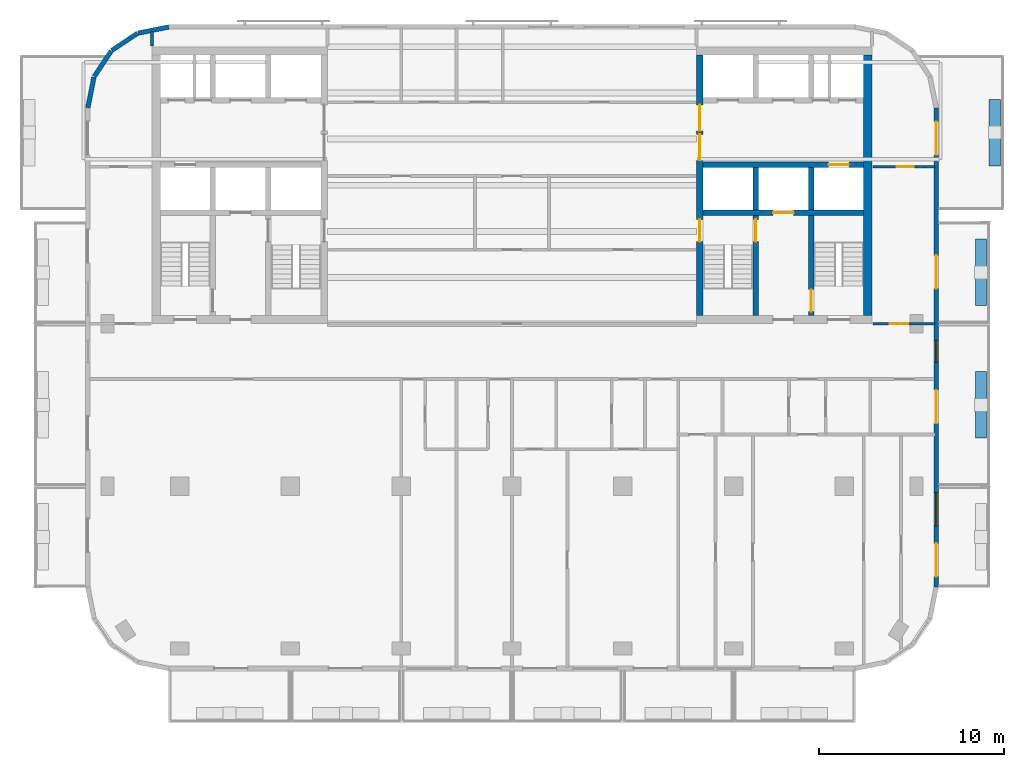
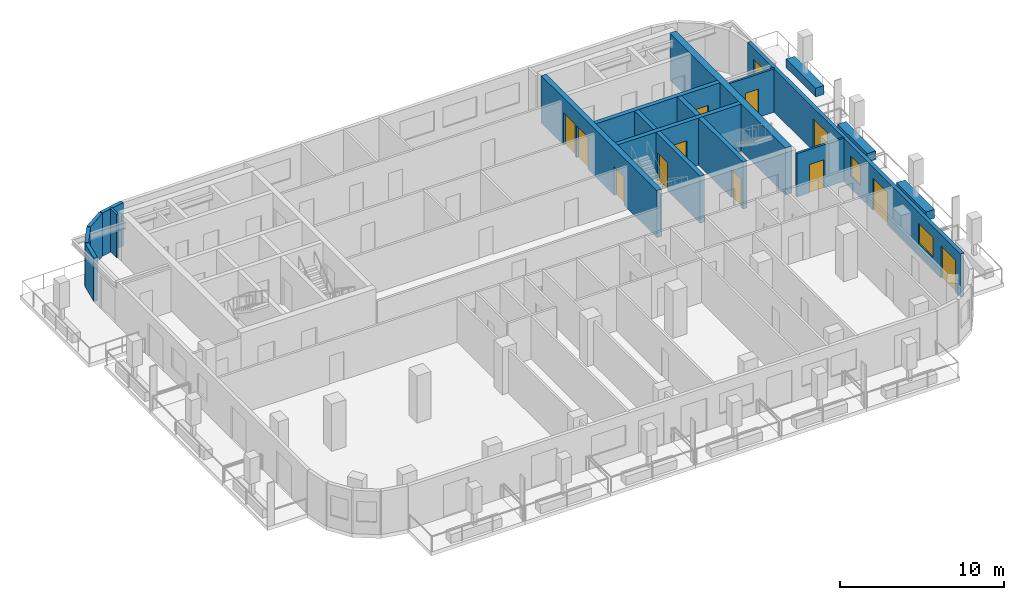
# One storey, part 5 of 10: 19 walls, 13 doors, 2 windows, 15 openings.
"""IFC4 building model written with IfcOpenShell, lengths in metres."""

from ifc_helpers import new_model, si_unit, direction, frame, frame_2d, origin, place, context, subcontext, project, spatial, rectangle, extrude, material, layer, layer_set, type_object, element, fill, save


model = new_model("IFC4")

# Units and contexts
model_context = context("Model", 3, precision=1e-05, world=origin(), true_north=direction((0.0, 1.0)))
body_context = subcontext(model_context, "Body", "Model", "MODEL_VIEW")
ifc_project = project(units=[si_unit("LENGTHUNIT", "METRE"), si_unit("AREAUNIT", "SQUARE_METRE"), si_unit("VOLUMEUNIT", "CUBIC_METRE"), si_unit("PLANEANGLEUNIT", "RADIAN"), si_unit("MASSUNIT", "GRAM", prefix="KILO")], contexts=[model_context])

# Site, building, storey
site_placement = place(None, origin())
site = spatial("IfcSite", under=ifc_project, at=site_placement, CompositionType="ELEMENT")
building_placement = place(site_placement, origin())
building = spatial("IfcBuilding", under=site, at=building_placement, Name="Torana Hotel and Residences", CompositionType="ELEMENT")
storey_placement = place(building_placement, frame((0.0, 0.0, 301.60009765625)))
storey = spatial("IfcBuildingStorey", under=building, at=storey_placement, Name="L80", CompositionType="ELEMENT", Elevation=301.60009765625)

# Wall, opening, door
ifc_material_1 = material(Name="Concrete C60/75", Category="concrete")
ifc_layer_1 = layer(ifc_material_1, 0.300048828125)
ifc_layer_set_1 = layer_set([ifc_layer_1], Name="CORE WALL 300 C60/75")
wall_type_1 = type_object("IfcWallType", Name="CORE WALL 300 C60/75", PredefinedType="SHEAR", material=ifc_layer_set_1)
wall_1_placement = place(storey_placement, frame((10.35009765625, -6.39990234375, 0.0), z_axis=(0.0, 0.0, 1.0), x_axis=(1.0, 0.0, 0.0)))
wall_1 = element("IfcWall", 1, at=wall_1_placement, inside=storey, type_object=wall_type_1, Name="Core wall E row-S", PredefinedType="SHEAR", context=body_context, shape_type="SweptSolid", body=[
    extrude(rectangle(XDim=8.699951171875, YDim=0.300048828125, at=frame_2d((4.35009765625, 0.0))), origin(), (0.0, 0.0, 1.0), 3.5),
])
opening_1_placement = place(wall_1_placement, frame((6.800048828125, 0.0, 0.0)))
opening_1 = element("IfcOpeningElement", 2, at=opening_1_placement, cuts=wall_1, Name="Opening LD", PredefinedType="OPENING", context=body_context, shape_type="SweptSolid", body=[
    extrude(rectangle(XDim=1.10009765625, YDim=2.10009765625, at=frame_2d((0.550048828125, 1.050048828125))), frame((0.0, 0.159912109375, 0.0), z_axis=(0.0, -1.0, 0.0), x_axis=(1.0, 0.0, 0.0)), (0.0, 0.0, 1.0), 0.320068359375),
])
ifc_material_2 = material(Name="Stainless steel 316", Category="steel")
door_type_1 = type_object("IfcDoorType", Name="LIFT LANDING DOOR LD 1100x2100", OperationType="DOUBLE_DOOR_SLIDING", PredefinedType="USERDEFINED", material=ifc_material_2)
door_1_placement = place(opening_1_placement, origin())
door_1 = element("IfcDoor", 3, at=door_1_placement, inside=storey, type_object=door_type_1, Name="Lift landing door SV2 L80", ObjectType="LIFT LANDING DOOR", OperationType="DOUBLE_DOOR_SLIDING", OverallHeight=2.10009765625, OverallWidth=1.10009765625, PredefinedType="USERDEFINED", context=body_context, shape_type="SweptSolid", body=[
    extrude(rectangle(XDim=1.10009765625, YDim=2.10009765625, at=frame_2d((0.550048828125, 1.050048828125))), frame((0.0, 0.02490234375, 0.0), z_axis=(0.0, -1.0, 0.0), x_axis=(1.0, 0.0, 0.0)), (0.0, 0.0, 1.0), 0.050048828125),
])
fill(opening_1, door_1)

wall_2_placement = place(storey_placement, frame((10.35009765625, -9.0, 0.0), z_axis=(0.0, 0.0, 1.0), x_axis=(1.0, 0.0, 0.0)))
wall_2 = element("IfcWall", 4, at=wall_2_placement, inside=storey, type_object=wall_type_1, Name="Core wall E band", PredefinedType="SHEAR", context=body_context, shape_type="SweptSolid", body=[
    extrude(rectangle(XDim=8.699951171875, YDim=0.300048828125, at=frame_2d((4.35009765625, 0.0))), origin(), (0.0, 0.0, 1.0), 3.5),
])
opening_2_placement = place(wall_2_placement, frame((3.800048828125, 0.0, 0.0)))
opening_2 = element("IfcOpeningElement", 5, at=opening_2_placement, cuts=wall_2, Name="Opening LD", PredefinedType="OPENING", context=body_context, shape_type="SweptSolid", body=[
    extrude(rectangle(XDim=1.10009765625, YDim=2.10009765625, at=frame_2d((0.550048828125, 1.050048828125))), frame((0.0, 0.159912109375, 0.0), z_axis=(0.0, -1.0, 0.0), x_axis=(1.0, 0.0, 0.0)), (0.0, 0.0, 1.0), 0.320068359375),
])
door_2_placement = place(opening_2_placement, origin())
door_2 = element("IfcDoor", 6, at=door_2_placement, inside=storey, type_object=door_type_1, Name="Lift landing door FF2 L80", ObjectType="LIFT LANDING DOOR", OperationType="DOUBLE_DOOR_SLIDING", OverallHeight=2.10009765625, OverallWidth=1.10009765625, PredefinedType="USERDEFINED", context=body_context, shape_type="SweptSolid", body=[
    extrude(rectangle(XDim=1.10009765625, YDim=2.10009765625, at=frame_2d((0.550048828125, 1.050048828125))), frame((0.0, 0.02490234375, 0.0), z_axis=(0.0, -1.0, 0.0), x_axis=(1.0, 0.0, 0.0)), (0.0, 0.0, 1.0), 0.050048828125),
])
fill(opening_2, door_2)

# Wall
wall_3_placement = place(storey_placement, frame((13.199951171875, -8.85009765625, 0.0), z_axis=(0.0, 0.0, 1.0), x_axis=(0.0, 1.0, 0.0)))
element("IfcWall", 7, at=wall_3_placement, inside=storey, type_object=wall_type_1, Name="Core wall E x3.05-S", PredefinedType="SHEAR", context=body_context, shape_type="SweptSolid", body=[
    extrude(rectangle(XDim=2.300048828125, YDim=0.300048828125, at=frame_2d((1.14990234375, 0.0))), origin(), (0.0, 0.0, 1.0), 3.5),
])

# Wall, opening, door
wall_4_placement = place(storey_placement, frame((13.199951171875, -14.550048828125, 0.0), z_axis=(0.0, 0.0, 1.0), x_axis=(0.0, 1.0, 0.0)))
wall_4 = element("IfcWall", 8, at=wall_4_placement, inside=storey, type_object=wall_type_1, Name="Core wall E x3.05-band", PredefinedType="SHEAR", context=body_context, shape_type="SweptSolid", body=[
    extrude(rectangle(XDim=5.400146484375, YDim=0.300048828125, at=frame_2d((2.7001953125, 0.0))), origin(), (0.0, 0.0, 1.0), 3.5),
])
opening_3_placement = place(wall_4_placement, frame((4.0, 0.0, 0.0)))
opening_3 = element("IfcOpeningElement", 9, at=opening_3_placement, cuts=wall_4, Name="Opening L80-17", PredefinedType="OPENING", context=body_context, shape_type="SweptSolid", body=[
    extrude(rectangle(XDim=1.199951171875, YDim=2.10009765625, at=frame_2d((0.60009765625, 1.050048828125))), frame((0.0, 0.159912109375, 0.0), z_axis=(0.0, -1.0, 0.0), x_axis=(1.0, 0.0, 0.0)), (0.0, 0.0, 1.0), 0.320068359375),
])
ifc_material_3 = material(Name="Steel S235", Category="steel")
door_type_2 = type_object("IfcDoorType", Name="STAIR FIRE DOOR D3 1200x2100", OperationType="SINGLE_SWING_LEFT", PredefinedType="DOOR", material=ifc_material_3)
door_3_placement = place(opening_3_placement, origin())
door_3 = element("IfcDoor", 10, at=door_3_placement, inside=storey, type_object=door_type_2, Name="Stair-A-lobby door L80", OperationType="SINGLE_SWING_LEFT", OverallHeight=2.10009765625, OverallWidth=1.199951171875, PredefinedType="DOOR", context=body_context, shape_type="SweptSolid", body=[
    extrude(rectangle(XDim=1.199951171875, YDim=2.10009765625, at=frame_2d((0.60009765625, 1.050048828125))), frame((0.0, 0.02490234375, 0.0), z_axis=(0.0, -1.0, 0.0), x_axis=(1.0, 0.0, 0.0)), (0.0, 0.0, 1.0), 0.050048828125),
])
fill(opening_3, door_3)

# Wall
wall_5_placement = place(storey_placement, frame((16.199951171875, -8.85009765625, 0.0), z_axis=(0.0, 0.0, 1.0), x_axis=(0.0, 1.0, 0.0)))
element("IfcWall", 11, at=wall_5_placement, inside=storey, type_object=wall_type_1, Name="Core wall E x6.05-S", PredefinedType="SHEAR", context=body_context, shape_type="SweptSolid", body=[
    extrude(rectangle(XDim=2.300048828125, YDim=0.300048828125, at=frame_2d((1.14990234375, 0.0))), origin(), (0.0, 0.0, 1.0), 3.5),
])

# Wall, opening, door
wall_6_placement = place(storey_placement, frame((16.199951171875, -14.550048828125, 0.0), z_axis=(0.0, 0.0, 1.0), x_axis=(0.0, 1.0, 0.0)))
wall_6 = element("IfcWall", 12, at=wall_6_placement, inside=storey, type_object=wall_type_1, Name="Core wall E x6.05-band", PredefinedType="SHEAR", context=body_context, shape_type="SweptSolid", body=[
    extrude(rectangle(XDim=5.400146484375, YDim=0.300048828125, at=frame_2d((2.7001953125, 0.0))), origin(), (0.0, 0.0, 1.0), 3.5),
])
opening_4_placement = place(wall_6_placement, frame((0.199951171875, 0.0, 0.0)))
opening_4 = element("IfcOpeningElement", 13, at=opening_4_placement, cuts=wall_6, Name="Opening L80-18", PredefinedType="OPENING", context=body_context, shape_type="SweptSolid", body=[
    extrude(rectangle(XDim=1.199951171875, YDim=2.10009765625, at=frame_2d((0.60009765625, 1.050048828125))), frame((0.0, 0.159912109375, 0.0), z_axis=(0.0, -1.0, 0.0), x_axis=(1.0, 0.0, 0.0)), (0.0, 0.0, 1.0), 0.320068359375),
])
door_4_placement = place(opening_4_placement, frame((0.60009765625, 0.0, 0.0), z_axis=(0.0, 0.0, 1.0), x_axis=(-1.0, 0.0, 0.0)))
door_4 = element("IfcDoor", 14, at=door_4_placement, inside=storey, type_object=door_type_2, Name="Stair-B-lobby door L80", OperationType="SINGLE_SWING_LEFT", OverallHeight=2.10009765625, OverallWidth=1.199951171875, PredefinedType="DOOR", context=body_context, shape_type="SweptSolid", body=[
    extrude(rectangle(XDim=1.199951171875, YDim=2.10009765625, at=frame_2d((0.0, 1.050048828125))), frame((0.0, -0.02490234375, 0.0), z_axis=(0.0, 1.0, 0.0), x_axis=(-1.0, 0.0, 0.0)), (0.0, 0.0, 1.0), 0.050048828125),
])
fill(opening_4, door_4)

# Wall, openings, doors
ifc_material_4 = material(Name="Concrete C60/75", Category="concrete")
ifc_layer_2 = layer(ifc_material_4, 0.35009765625)
ifc_layer_set_2 = layer_set([ifc_layer_2], Name="CORE WALL 350 C60/75")
wall_type_2 = type_object("IfcWallType", Name="CORE WALL 350 C60/75", PredefinedType="SHEAR", material=ifc_layer_set_2)
wall_7_placement = place(storey_placement, frame((10.175048828125, -14.550048828125, 0.0), z_axis=(0.0, 0.0, 1.0), x_axis=(0.0, 1.0, 0.0)))
wall_7 = element("IfcWall", 15, at=wall_7_placement, inside=storey, type_object=wall_type_2, Name="Core wall E arch", PredefinedType="SHEAR", context=body_context, shape_type="SweptSolid", body=[
    extrude(rectangle(XDim=14.10009765625, YDim=0.35009765625, at=frame_2d((7.050048828125, 0.0))), origin(), (0.0, 0.0, 1.0), 3.5),
])
opening_5_placement = place(wall_7_placement, frame((8.39990234375, 0.0, 0.0)))
opening_5 = element("IfcOpeningElement", 16, at=opening_5_placement, cuts=wall_7, Name="Opening L80-10", PredefinedType="OPENING", context=body_context, shape_type="SweptSolid", body=[
    extrude(rectangle(XDim=1.39990234375, YDim=2.39990234375, at=frame_2d((0.699951171875, 1.199951171875))), frame((0.0, 0.18505859375, 0.0), z_axis=(0.0, -1.0, 0.0), x_axis=(1.0, 0.0, 0.0)), (0.0, 0.0, 1.0), 0.3701171875),
])
opening_6_placement = place(wall_7_placement, frame((10.0, 0.0, 0.0)))
opening_6 = element("IfcOpeningElement", 17, at=opening_6_placement, cuts=wall_7, Name="Opening L80-11", PredefinedType="OPENING", context=body_context, shape_type="SweptSolid", body=[
    extrude(rectangle(XDim=1.39990234375, YDim=2.39990234375, at=frame_2d((0.699951171875, 1.199951171875))), frame((0.0, 0.18505859375, 0.0), z_axis=(0.0, -1.0, 0.0), x_axis=(1.0, 0.0, 0.0)), (0.0, 0.0, 1.0), 0.3701171875),
])
opening_7_placement = place(wall_7_placement, frame((4.0, 0.0, 0.0)))
opening_7 = element("IfcOpeningElement", 18, at=opening_7_placement, cuts=wall_7, Name="Opening L80-12", PredefinedType="OPENING", context=body_context, shape_type="SweptSolid", body=[
    extrude(rectangle(XDim=1.199951171875, YDim=2.10009765625, at=frame_2d((0.60009765625, 1.050048828125))), frame((0.0, 0.18505859375, 0.0), z_axis=(0.0, -1.0, 0.0), x_axis=(1.0, 0.0, 0.0)), (0.0, 0.0, 1.0), 0.3701171875),
])
ifc_material_5 = material(Name="Steel S235", Category="steel")
door_type_3 = type_object("IfcDoorType", Name="LOBBY FIRE DOOR D4 1400x2400", OperationType="DOUBLE_DOOR_SINGLE_SWING", PredefinedType="DOOR", material=ifc_material_5)
door_5_placement = place(opening_5_placement, origin())
door_5 = element("IfcDoor", 19, at=door_5_placement, inside=storey, type_object=door_type_3, Name="Lobby-1 door L80", OperationType="DOUBLE_DOOR_SINGLE_SWING", OverallHeight=2.39990234375, OverallWidth=1.39990234375, PredefinedType="DOOR", context=body_context, shape_type="SweptSolid", body=[
    extrude(rectangle(XDim=1.39990234375, YDim=2.39990234375, at=frame_2d((0.699951171875, 1.199951171875))), frame((0.0, 0.02490234375, 0.0), z_axis=(0.0, -1.0, 0.0), x_axis=(1.0, 0.0, 0.0)), (0.0, 0.0, 1.0), 0.050048828125),
])
fill(opening_5, door_5)
door_6_placement = place(opening_6_placement, origin())
door_6 = element("IfcDoor", 20, at=door_6_placement, inside=storey, type_object=door_type_3, Name="Lobby-2 door L80", OperationType="DOUBLE_DOOR_SINGLE_SWING", OverallHeight=2.39990234375, OverallWidth=1.39990234375, PredefinedType="DOOR", context=body_context, shape_type="SweptSolid", body=[
    extrude(rectangle(XDim=1.39990234375, YDim=2.39990234375, at=frame_2d((0.699951171875, 1.199951171875))), frame((0.0, 0.02490234375, 0.0), z_axis=(0.0, -1.0, 0.0), x_axis=(1.0, 0.0, 0.0)), (0.0, 0.0, 1.0), 0.050048828125),
])
fill(opening_6, door_6)
door_7_placement = place(opening_7_placement, frame((0.60009765625, 0.0, 0.0), z_axis=(0.0, 0.0, 1.0), x_axis=(-1.0, 0.0, 0.0)))
door_7 = element("IfcDoor", 21, at=door_7_placement, inside=storey, type_object=door_type_2, Name="Stair-A door L80", OperationType="SINGLE_SWING_RIGHT", OverallHeight=2.10009765625, OverallWidth=1.199951171875, PredefinedType="DOOR", context=body_context, shape_type="SweptSolid", body=[
    extrude(rectangle(XDim=1.199951171875, YDim=2.10009765625, at=frame_2d((0.0, 1.050048828125))), frame((0.0, -0.02490234375, 0.0), z_axis=(0.0, 1.0, 0.0), x_axis=(-1.0, 0.0, 0.0)), (0.0, 0.0, 1.0), 0.050048828125),
])
fill(opening_7, door_7)

# Walls
ifc_material_6 = material(Name="Concrete C60/75", Category="concrete")
ifc_layer_3 = layer(ifc_material_6, 0.449951171875)
ifc_layer_set_3 = layer_set([ifc_layer_3], Name="CORE WALL 450 C60/75")
wall_type_3 = type_object("IfcWallType", Name="CORE WALL 450 C60/75", PredefinedType="SHEAR", material=ifc_layer_set_3)
wall_8_placement = place(storey_placement, frame((19.27490234375, -14.550048828125, 0.0), z_axis=(0.0, 0.0, 1.0), x_axis=(0.0, 1.0, 0.0)))
element("IfcWall", 22, at=wall_8_placement, inside=storey, type_object=wall_type_3, Name="Core wall E outer", PredefinedType="SHEAR", context=body_context, shape_type="SweptSolid", body=[
    extrude(rectangle(XDim=14.10009765625, YDim=0.449951171875, at=frame_2d((7.050048828125, 0.0))), origin(), (0.0, 0.0, 1.0), 3.5),
])
ifc_material_7 = material(Name="Black aluminium composite panel", Category="aluminium")
ifc_layer_4 = layer(ifc_material_7, 0.00390625, Name="Cladding", Category="cladding")
ifc_material_8 = material(Name="Ventilated air cavity")
ifc_layer_5 = layer(ifc_material_8, 0.0400390625, Name="Ventilated cavity", Category="cavity")
ifc_material_9 = material(Name="Mineral wool insulation")
ifc_layer_6 = layer(ifc_material_9, 0.090087890625, Name="Insulation", Category="insulation")
ifc_material_10 = material(Name="Steel S280GD", Category="steel")
ifc_layer_7 = layer(ifc_material_10, 0.092041015625, Name="Steel stud frame", Category="structure")
ifc_material_11 = material(Name="Fire rated plasterboard")
ifc_layer_8 = layer(ifc_material_11, 0.011962890625, Name="Inner board", Category="finish")
ifc_layer_9 = layer(ifc_material_11, 0.011962890625, Name="Second board", Category="finish")
ifc_layer_set_4 = layer_set([ifc_layer_4, ifc_layer_5, ifc_layer_6, ifc_layer_7, ifc_layer_8, ifc_layer_9], Name="EW1 EXTERNAL WALL BLACK METAL CLAD 250")
wall_type_4 = type_object("IfcWallType", Name="EW1 EXTERNAL WALL BLACK METAL CLAD 250", PredefinedType="SOLIDWALL", material=ifc_layer_set_4)
wall_9_placement = place(storey_placement, frame((-18.599853515625, 1.072509765625, 0.0), z_axis=(0.0, 0.0, 1.0), x_axis=(-0.980797896849, -0.195026884138, 0.0)))
element("IfcWall", 23, at=wall_9_placement, inside=storey, type_object=wall_type_4, Name="External wall L80 e0.5", PredefinedType="SOLIDWALL", context=body_context, shape_type="SweptSolid", body=[
    extrude(rectangle(XDim=1.68115234375, YDim=0.25, at=frame_2d((0.840576171875, 0.0))), origin(), (0.0, 0.0, 1.0), 3.219970703125),
])
for number, where, z_axis, x_axis, name in (
    (24, (-20.2939453125, 0.725830078125, 0.0), (0.0, 0.0, 1.0), (-0.831482937015, -0.55555029066, 0.0), "External wall L80 e0.6"),
    (25, (-21.705810546875, -0.228759765625, 0.0), (0.0, 0.0, 1.0), (-0.55555029066, -0.831482937015, 0.0), "External wall L80 e0.7"),
):
    element("IfcWall", number, at=place(storey_placement, frame(where, z_axis=z_axis, x_axis=x_axis)), inside=storey, type_object=wall_type_4, Name=name, PredefinedType="SOLIDWALL", context=body_context, shape_type="SweptSolid", body=[
        extrude(rectangle(XDim=1.65625, YDim=0.25, at=frame_2d((0.828125, 0.0))), origin(), (0.0, 0.0, 1.0), 3.219970703125),
    ])
wall_10_placement = place(storey_placement, frame((-22.64453125, -1.651123046875, 0.0), z_axis=(0.0, 0.0, 1.0), x_axis=(-0.19513878023, -0.980775640221, 0.0)))
element("IfcWall", 26, at=wall_10_placement, inside=storey, type_object=wall_type_4, Name="External wall L80 e0.8", PredefinedType="SOLIDWALL", context=body_context, shape_type="SweptSolid", body=[
    extrude(rectangle(XDim=1.681396484375, YDim=0.25, at=frame_2d((0.8408203125, 0.0))), origin(), (0.0, 0.0, 1.0), 3.219970703125),
])

# Wall, openings, doors, windows
wall_11_placement = place(storey_placement, frame((22.97509765625, -29.275390625, 0.0), z_axis=(0.0, 0.0, 1.0), x_axis=(0.0, 1.0, 0.0)))
wall_11 = element("IfcWall", 27, at=wall_11_placement, inside=storey, type_object=wall_type_4, Name="External wall L80 e0.19", PredefinedType="SOLIDWALL", context=body_context, shape_type="SweptSolid", body=[
    extrude(rectangle(XDim=25.95068359375, YDim=0.25, at=frame_2d((12.975341796875, 0.0))), origin(), (0.0, 0.0, 1.0), 3.219970703125),
])
opening_8_placement = place(wall_11_placement, frame((0.575439453125, 0.0, 0.0)))
opening_8 = element("IfcOpeningElement", 28, at=opening_8_placement, cuts=wall_11, Name="Opening L80-E07", PredefinedType="OPENING", context=body_context, shape_type="SweptSolid", body=[
    extrude(rectangle(XDim=1.800048828125, YDim=2.39990234375, at=frame_2d((0.89990234375, 1.199951171875))), frame((0.0, 0.135009765625, 0.0), z_axis=(0.0, -1.0, 0.0), x_axis=(1.0, 0.0, 0.0)), (0.0, 0.0, 1.0), 0.27001953125),
])
opening_9_placement = place(wall_11_placement, frame((3.325439453125, 0.0, 0.89990234375)))
opening_9 = element("IfcOpeningElement", 29, at=opening_9_placement, cuts=wall_11, Name="Opening W4", PredefinedType="OPENING", context=body_context, shape_type="SweptSolid", body=[
    extrude(rectangle(XDim=1.800048828125, YDim=1.5, at=frame_2d((0.89990234375, 0.75))), frame((0.0, 0.135009765625, 0.0), z_axis=(0.0, -1.0, 0.0), x_axis=(1.0, 0.0, 0.0)), (0.0, 0.0, 1.0), 0.27001953125),
])
opening_10_placement = place(wall_11_placement, frame((8.87548828125, 0.0, 0.0)))
opening_10 = element("IfcOpeningElement", 30, at=opening_10_placement, cuts=wall_11, Name="Opening L80-E08", PredefinedType="OPENING", context=body_context, shape_type="SweptSolid", body=[
    extrude(rectangle(XDim=1.800048828125, YDim=2.39990234375, at=frame_2d((0.89990234375, 1.199951171875))), frame((0.0, 0.135009765625, 0.0), z_axis=(0.0, -1.0, 0.0), x_axis=(1.0, 0.0, 0.0)), (0.0, 0.0, 1.0), 0.27001953125),
])
opening_11_placement = place(wall_11_placement, frame((12.17529296875, 0.0, 0.89990234375)))
opening_11 = element("IfcOpeningElement", 31, at=opening_11_placement, cuts=wall_11, Name="Opening W5", PredefinedType="OPENING", context=body_context, shape_type="SweptSolid", body=[
    extrude(rectangle(XDim=1.199951171875, YDim=1.5, at=frame_2d((0.60009765625, 0.75))), frame((0.0, 0.135009765625, 0.0), z_axis=(0.0, -1.0, 0.0), x_axis=(1.0, 0.0, 0.0)), (0.0, 0.0, 1.0), 0.27001953125),
])
opening_12_placement = place(wall_11_placement, frame((16.17529296875, 0.0, 0.0)))
opening_12 = element("IfcOpeningElement", 32, at=opening_12_placement, cuts=wall_11, Name="Opening L80-E09", PredefinedType="OPENING", context=body_context, shape_type="SweptSolid", body=[
    extrude(rectangle(XDim=1.800048828125, YDim=2.39990234375, at=frame_2d((0.89990234375, 1.199951171875))), frame((0.0, 0.135009765625, 0.0), z_axis=(0.0, -1.0, 0.0), x_axis=(1.0, 0.0, 0.0)), (0.0, 0.0, 1.0), 0.27001953125),
])
opening_13_placement = place(wall_11_placement, frame((23.42529296875, 0.0, 0.0)))
opening_13 = element("IfcOpeningElement", 33, at=opening_13_placement, cuts=wall_11, Name="Opening L80-E10", PredefinedType="OPENING", context=body_context, shape_type="SweptSolid", body=[
    extrude(rectangle(XDim=1.800048828125, YDim=2.39990234375, at=frame_2d((0.89990234375, 1.199951171875))), frame((0.0, 0.135009765625, 0.0), z_axis=(0.0, -1.0, 0.0), x_axis=(1.0, 0.0, 0.0)), (0.0, 0.0, 1.0), 0.27001953125),
])
ifc_material_12 = material(Name="Dark glass in black aluminium frame", Category="aluminium")
door_type_4 = type_object("IfcDoorType", Name="DB1 BALCONY DOOR 1800x2400", OperationType="DOUBLE_DOOR_SINGLE_SWING", PredefinedType="DOOR", material=ifc_material_12)
door_8_placement = place(opening_8_placement, origin())
door_8 = element("IfcDoor", 34, at=door_8_placement, inside=storey, type_object=door_type_4, Name="Balcony door L80", OperationType="DOUBLE_DOOR_SINGLE_SWING", OverallHeight=2.39990234375, OverallWidth=1.800048828125, PredefinedType="DOOR", context=body_context, shape_type="SweptSolid", body=[
    extrude(rectangle(XDim=1.800048828125, YDim=2.39990234375, at=frame_2d((0.89990234375, 1.199951171875))), frame((0.0, 0.02490234375, 0.0), z_axis=(0.0, -1.0, 0.0), x_axis=(1.0, 0.0, 0.0)), (0.0, 0.0, 1.0), 0.050048828125),
])
fill(opening_8, door_8)
door_9_placement = place(opening_10_placement, origin())
door_9 = element("IfcDoor", 35, at=door_9_placement, inside=storey, type_object=door_type_4, Name="Balcony door L80", OperationType="DOUBLE_DOOR_SINGLE_SWING", OverallHeight=2.39990234375, OverallWidth=1.800048828125, PredefinedType="DOOR", context=body_context, shape_type="SweptSolid", body=[
    extrude(rectangle(XDim=1.800048828125, YDim=2.39990234375, at=frame_2d((0.89990234375, 1.199951171875))), frame((0.0, 0.02490234375, 0.0), z_axis=(0.0, -1.0, 0.0), x_axis=(1.0, 0.0, 0.0)), (0.0, 0.0, 1.0), 0.050048828125),
])
fill(opening_10, door_9)
door_10_placement = place(opening_12_placement, origin())
door_10 = element("IfcDoor", 36, at=door_10_placement, inside=storey, type_object=door_type_4, Name="Balcony door L80", OperationType="DOUBLE_DOOR_SINGLE_SWING", OverallHeight=2.39990234375, OverallWidth=1.800048828125, PredefinedType="DOOR", context=body_context, shape_type="SweptSolid", body=[
    extrude(rectangle(XDim=1.800048828125, YDim=2.39990234375, at=frame_2d((0.89990234375, 1.199951171875))), frame((0.0, 0.02490234375, 0.0), z_axis=(0.0, -1.0, 0.0), x_axis=(1.0, 0.0, 0.0)), (0.0, 0.0, 1.0), 0.050048828125),
])
fill(opening_12, door_10)
door_11_placement = place(opening_13_placement, origin())
door_11 = element("IfcDoor", 37, at=door_11_placement, inside=storey, type_object=door_type_4, Name="Balcony door L80", OperationType="DOUBLE_DOOR_SINGLE_SWING", OverallHeight=2.39990234375, OverallWidth=1.800048828125, PredefinedType="DOOR", context=body_context, shape_type="SweptSolid", body=[
    extrude(rectangle(XDim=1.800048828125, YDim=2.39990234375, at=frame_2d((0.89990234375, 1.199951171875))), frame((0.0, 0.02490234375, 0.0), z_axis=(0.0, -1.0, 0.0), x_axis=(1.0, 0.0, 0.0)), (0.0, 0.0, 1.0), 0.050048828125),
])
fill(opening_13, door_11)
ifc_material_13 = material(Name="Dark glass in black aluminium frame", Category="aluminium")
window_type_1 = type_object("IfcWindowType", Name="W4 RESIDENCE WINDOW NARROW 1800x1500", PartitioningType="SINGLE_PANEL", PredefinedType="WINDOW", material=ifc_material_13)
window_1_placement = place(opening_9_placement, origin())
window_1 = element("IfcWindow", 38, at=window_1_placement, inside=storey, type_object=window_type_1, Name="Window L80", OverallHeight=1.5, OverallWidth=1.800048828125, PartitioningType="SINGLE_PANEL", PredefinedType="WINDOW", context=body_context, shape_type="SweptSolid", body=[
    extrude(rectangle(XDim=1.800048828125, YDim=1.5, at=frame_2d((0.89990234375, 0.75))), frame((0.0, 0.030029296875, 0.0), z_axis=(0.0, -1.0, 0.0), x_axis=(1.0, 0.0, 0.0)), (0.0, 0.0, 1.0), 0.06005859375),
])
fill(opening_9, window_1)
ifc_material_14 = material(Name="Dark glass in black aluminium frame", Category="aluminium")
window_type_2 = type_object("IfcWindowType", Name="W5 CORNER FACET WINDOW 1200x1500", PartitioningType="SINGLE_PANEL", PredefinedType="WINDOW", material=ifc_material_14)
window_2_placement = place(opening_11_placement, origin())
window_2 = element("IfcWindow", 39, at=window_2_placement, inside=storey, type_object=window_type_2, Name="Window L80", OverallHeight=1.5, OverallWidth=1.199951171875, PartitioningType="SINGLE_PANEL", PredefinedType="WINDOW", context=body_context, shape_type="SweptSolid", body=[
    extrude(rectangle(XDim=1.199951171875, YDim=1.5, at=frame_2d((0.60009765625, 0.75))), frame((0.0, 0.030029296875, 0.0), z_axis=(0.0, -1.0, 0.0), x_axis=(1.0, 0.0, 0.0)), (0.0, 0.0, 1.0), 0.06005859375),
])
fill(opening_11, window_2)

# Wall, opening, door
ifc_material_15 = material(Name="Gypsum plaster")
ifc_layer_10 = layer(ifc_material_15, 0.014892578125, Name="Plaster", Category="finish")
ifc_material_16 = material(Name="Concrete blockwork", Category="masonry")
ifc_layer_11 = layer(ifc_material_16, 0.1201171875, Name="Blockwork", Category="structure")
ifc_layer_12 = layer(ifc_material_15, 0.014892578125, Name="Plaster", Category="finish")
ifc_layer_set_5 = layer_set([ifc_layer_10, ifc_layer_11, ifc_layer_12], Name="FIRE PARTITION 150 BLOCKWORK")
wall_type_5 = type_object("IfcWallType", Name="FIRE PARTITION 150 BLOCKWORK", PredefinedType="PARTITIONING", material=ifc_layer_set_5)
wall_12_placement = place(storey_placement, frame((19.550048828125, -15.0, 0.0), z_axis=(0.0, 0.0, 1.0), x_axis=(1.0, 0.0, 0.0)))
wall_12 = element("IfcWall", 40, at=wall_12_placement, inside=storey, type_object=wall_type_5, Name="Partition L80", PredefinedType="PARTITIONING", context=body_context, shape_type="SweptSolid", body=[
    extrude(rectangle(XDim=3.369873046875, YDim=0.14990234375, at=frame_2d((1.68505859375, 0.0))), origin(), (0.0, 0.0, 1.0), 3.219970703125),
])
opening_14_placement = place(wall_12_placement, frame((0.89990234375, 0.0, 0.0)))
opening_14 = element("IfcOpeningElement", 41, at=opening_14_placement, cuts=wall_12, Name="Opening L80-28", PredefinedType="OPENING", context=body_context, shape_type="SweptSolid", body=[
    extrude(rectangle(XDim=1.0, YDim=2.10009765625, at=frame_2d((0.5, 1.050048828125))), frame((0.0, 0.0849609375, 0.0), z_axis=(0.0, -1.0, 0.0), x_axis=(1.0, 0.0, 0.0)), (0.0, 0.0, 1.0), 0.169921875),
])
ifc_material_17 = material(Name="Steel S235", Category="steel")
door_type_5 = type_object("IfcDoorType", Name="CORE ROOM FIRE DOOR D14 1000x2100", OperationType="SINGLE_SWING_LEFT", PredefinedType="DOOR", material=ifc_material_17)
door_12_placement = place(opening_14_placement, origin())
door_12 = element("IfcDoor", 42, at=door_12_placement, inside=storey, type_object=door_type_5, Name="Door L80", OperationType="SINGLE_SWING_LEFT", OverallHeight=2.10009765625, OverallWidth=1.0, PredefinedType="DOOR", context=body_context, shape_type="SweptSolid", body=[
    extrude(rectangle(XDim=1.0, YDim=2.10009765625, at=frame_2d((0.5, 1.050048828125))), frame((0.0, 0.02490234375, 0.0), z_axis=(0.0, -1.0, 0.0), x_axis=(1.0, 0.0, 0.0)), (0.0, 0.0, 1.0), 0.050048828125),
])
fill(opening_14, door_12)

# Walls
ifc_material_18 = material(Name="Gypsum plasterboard")
ifc_layer_13 = layer(ifc_material_18, 0.012451171875, Name="Plasterboard", Category="finish")
ifc_layer_14 = layer(ifc_material_18, 0.012451171875, Name="Plasterboard", Category="finish")
ifc_layer_15 = layer(ifc_material_10, 0.10009765625, Name="Steel studs with mineral wool", Category="insulation")
ifc_layer_16 = layer(ifc_material_18, 0.012451171875, Name="Plasterboard", Category="finish")
ifc_layer_17 = layer(ifc_material_18, 0.012451171875, Name="Plasterboard", Category="finish")
ifc_layer_set_6 = layer_set([ifc_layer_13, ifc_layer_14, ifc_layer_15, ifc_layer_16, ifc_layer_17], Name="PARTITION 150 PLASTERBOARD")
wall_type_6 = type_object("IfcWallType", Name="PARTITION 150 PLASTERBOARD", PredefinedType="PARTITIONING", material=ifc_layer_set_6)
wall_13_placement = place(storey_placement, frame((-19.5, 0.050048828125, 0.0), z_axis=(0.0, 0.0, 1.0), x_axis=(0.0, 1.0, 0.0)))
element("IfcWall", 43, at=wall_13_placement, inside=storey, type_object=wall_type_6, Name="Partition L80", PredefinedType="PARTITIONING", context=body_context, shape_type="SweptSolid", body=[
    extrude(rectangle(XDim=0.787353515625, YDim=0.14990234375, at=frame_2d((0.3935546875, 0.0))), origin(), (0.0, 0.0, 1.0), 3.219970703125),
])
ifc_material_19 = material(Name="Concrete C40/50 precast", Category="concrete")
ifc_layer_18 = layer(ifc_material_19, 0.10009765625, Name="Planter shell", Category="structure")
ifc_material_20 = material(Name="Root resistant membrane")
ifc_layer_19 = layer(ifc_material_20, 0.00390625, Name="Waterproofing membrane", Category="membrane")
ifc_material_21 = material(Name="Drainage board with filter fleece")
ifc_layer_20 = layer(ifc_material_21, 0.02001953125, Name="Drainage board", Category="drainage")
ifc_material_22 = material(Name="Growing medium")
ifc_layer_21 = layer(ifc_material_22, 0.47607421875, Name="Planting substrate", Category="soil")
ifc_layer_set_7 = layer_set([ifc_layer_18, ifc_layer_19, ifc_layer_20, ifc_layer_21], Name="PL1 BALCONY PLANTER 600")
wall_type_7 = type_object("IfcWallType", Name="PL1 BALCONY PLANTER 600", PredefinedType="USERDEFINED", material=ifc_layer_set_7)
for number, where, z_axis, x_axis, name in (
    (44, (25.39990234375, -17.60009765625, 0.0), (0.0, 0.0, 1.0), (0.0, -1.0, 0.0), "Planter 12"),
    (45, (25.39990234375, -10.425048828125, 0.0), (0.0, 0.0, 1.0), (0.0, -1.0, 0.0), "Planter 13"),
    (46, (26.14990234375, -2.85009765625, 0.0), (0.0, 0.0, 1.0), (0.0, -1.0, 0.0), "Planter 14"),
):
    element("IfcWall", number, at=place(storey_placement, frame(where, z_axis=z_axis, x_axis=x_axis)), inside=storey, type_object=wall_type_7, Name=name, ObjectType="PLANTER", PredefinedType="USERDEFINED", context=body_context, shape_type="SweptSolid", body=[
        extrude(rectangle(XDim=3.599853515625, YDim=0.60009765625, at=frame_2d((1.7998046875, 0.0))), origin(), (0.0, 0.0, 1.0), 0.64990234375),
    ])

# Wall, opening, door
ifc_material_23 = material(Name="Ceramic tile on adhesive")
ifc_layer_22 = layer(ifc_material_23, 0.010009765625, Name="Wall tile", Category="finish")
ifc_material_24 = material(Name="Cement render")
ifc_layer_23 = layer(ifc_material_24, 0.010009765625, Name="Render", Category="finish")
ifc_layer_24 = layer(ifc_material_16, 0.110107421875, Name="Blockwork", Category="structure")
ifc_layer_25 = layer(ifc_material_24, 0.010009765625, Name="Render", Category="finish")
ifc_layer_26 = layer(ifc_material_23, 0.010009765625, Name="Wall tile", Category="finish")
ifc_layer_set_8 = layer_set([ifc_layer_22, ifc_layer_23, ifc_layer_24, ifc_layer_25, ifc_layer_26], Name="WC PARTITION 150")
wall_type_8 = type_object("IfcWallType", Name="WC PARTITION 150", PredefinedType="PLUMBINGWALL", material=ifc_layer_set_8)
wall_14_placement = place(storey_placement, frame((19.550048828125, -6.5, 0.0), z_axis=(0.0, 0.0, 1.0), x_axis=(1.0, 0.0, 0.0)))
wall_14 = element("IfcWall", 47, at=wall_14_placement, inside=storey, type_object=wall_type_8, Name="Partition L80", PredefinedType="PLUMBINGWALL", context=body_context, shape_type="SweptSolid", body=[
    extrude(rectangle(XDim=3.369873046875, YDim=0.14990234375, at=frame_2d((1.68505859375, 0.0))), origin(), (0.0, 0.0, 1.0), 3.219970703125),
])
opening_15_placement = place(wall_14_placement, frame((1.300048828125, 0.0, 0.0)))
opening_15 = element("IfcOpeningElement", 48, at=opening_15_placement, cuts=wall_14, Name="Opening L80-52", PredefinedType="OPENING", context=body_context, shape_type="SweptSolid", body=[
    extrude(rectangle(XDim=0.89990234375, YDim=2.10009765625, at=frame_2d((0.449951171875, 1.050048828125))), frame((0.0, 0.0849609375, 0.0), z_axis=(0.0, -1.0, 0.0), x_axis=(1.0, 0.0, 0.0)), (0.0, 0.0, 1.0), 0.169921875),
])
ifc_material_25 = material(Name="Timber door, oiled ash", Category="wood")
door_type_6 = type_object("IfcDoorType", Name="ROOM DOOR D7 900x2100", OperationType="SINGLE_SWING_LEFT", PredefinedType="DOOR", material=ifc_material_25)
door_13_placement = place(opening_15_placement, origin())
door_13 = element("IfcDoor", 49, at=door_13_placement, inside=storey, type_object=door_type_6, Name="Door L80", OperationType="SINGLE_SWING_LEFT", OverallHeight=2.10009765625, OverallWidth=0.89990234375, PredefinedType="DOOR", context=body_context, shape_type="SweptSolid", body=[
    extrude(rectangle(XDim=0.89990234375, YDim=2.10009765625, at=frame_2d((0.449951171875, 1.050048828125))), frame((0.0, 0.02490234375, 0.0), z_axis=(0.0, -1.0, 0.0), x_axis=(1.0, 0.0, 0.0)), (0.0, 0.0, 1.0), 0.050048828125),
])
fill(opening_15, door_13)

save(model, "model.ifc")
